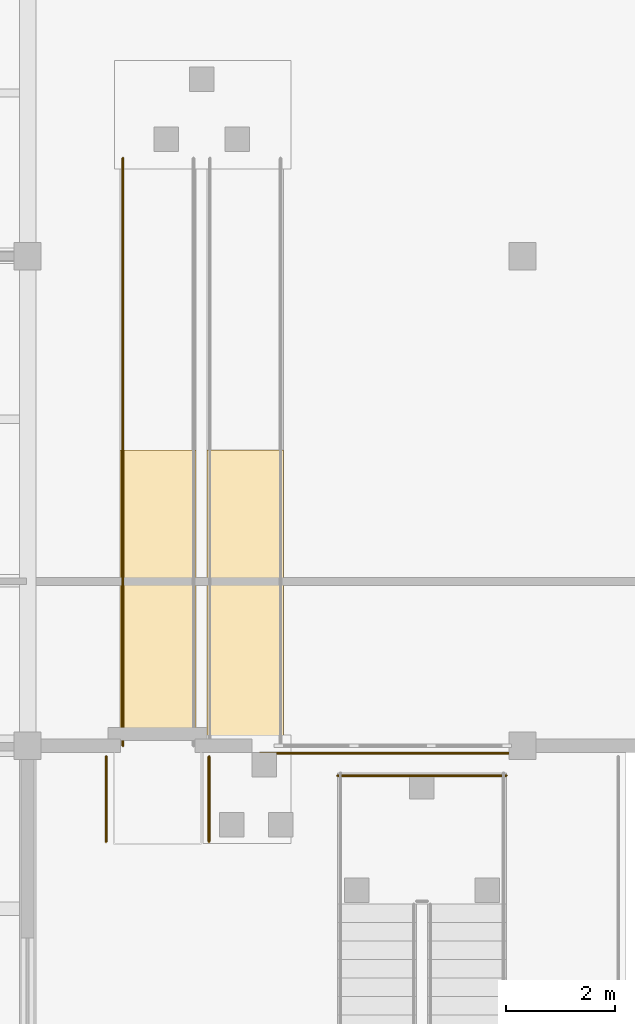
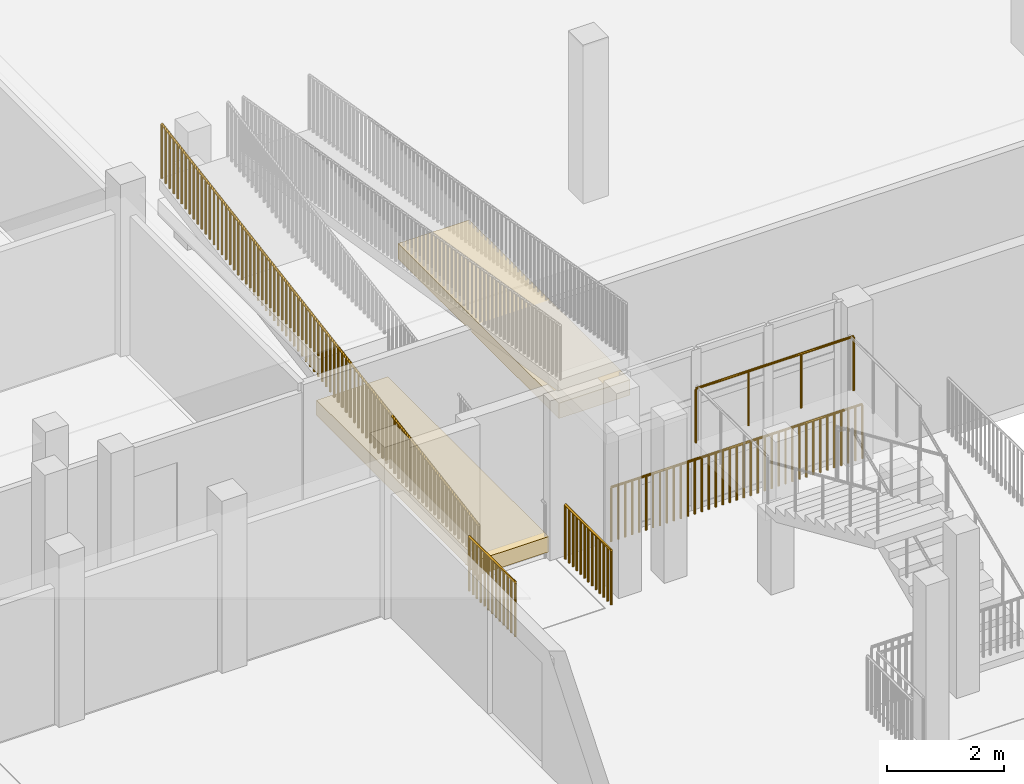
# One storey, part 88 of 104: 5 railings, 2 coverings.
"""IFC4 building model written with IfcOpenShell, lengths in metres."""

import ifcopenshell
import ifcopenshell.guid

model = None  # the IFC model being written
_history = None  # IfcOwnerHistory: only IFC2X3 demands one
_inside = {}  # id of a spatial element -> (the spatial element, [elements in it])
_under = {}  # id of a project, library or spatial element -> (it, [spatial elements below it])
_declared = {}  # id of a project -> (the project, [libraries it declares])
_typed = {}  # id of a type object -> (the type object, [elements of that type])
_made_of = {}  # id of a material, layer set ... -> (it, [elements and type objects made of it])


def new_model(schema):
    """Start an empty IFC model of exactly this schema.

    Asked for "IFC4X3", IfcOpenShell would pick the latest addendum, in which some entities
    have other attributes; the version numbers below select the first issue.
    IFC2X3 requires an IfcOwnerHistory on every rooted entity: one is made here for all.
    """
    global model, _history
    if schema == "IFC4X3":
        model = ifcopenshell.file(schema_version=(4, 3, 0, 0))
    else:
        model = ifcopenshell.file(schema=schema)
    _inside.clear()
    _under.clear()
    _declared.clear()
    _typed.clear()
    _made_of.clear()
    _history = None
    if model.schema == "IFC2X3":
        org = make("IfcOrganization", Name="unknown")
        user = make(
            "IfcPersonAndOrganization",
            ThePerson=make("IfcPerson", FamilyName="unknown"),
            TheOrganization=org,
        )
        app = make(
            "IfcApplication",
            ApplicationDeveloper=org,
            Version="unknown",
            ApplicationFullName="unknown",
            ApplicationIdentifier="unknown",
        )
        _history = make(
            "IfcOwnerHistory",
            OwningUser=user,
            OwningApplication=app,
            ChangeAction="ADDED",
            CreationDate=0,
        )
    return model


def make(cls, **values):
    """One entity of the class cls with the attributes given. An attribute that is None is left unset."""
    return model.create_entity(
        cls, **{name: value for name, value in values.items() if value is not None}
    )


def rooted(cls, **values):
    """An entity with a GlobalId (a new one), such as an element, a storey or a relation."""
    return make(cls, GlobalId=ifcopenshell.guid.new(), OwnerHistory=_history, **values)


def si_unit(unit_type, name, prefix=None):
    """IfcSIUnit, for example si_unit("LENGTHUNIT", "METRE", prefix="MILLI")."""
    return make("IfcSIUnit", UnitType=unit_type, Prefix=prefix, Name=name)


def assignment(units):
    """IfcUnitAssignment: the units of a project."""
    return None if units is None else make("IfcUnitAssignment", Units=units)


def point(xyz):
    """IfcCartesianPoint."""
    return None if xyz is None else make("IfcCartesianPoint", Coordinates=xyz)


def direction(xyz):
    """IfcDirection."""
    return None if xyz is None else make("IfcDirection", DirectionRatios=xyz)


def frame(location, z_axis=None, x_axis=None):
    """IfcAxis2Placement3D, a coordinate frame: its origin and axes. An axis left out is left unset."""
    return make(
        "IfcAxis2Placement3D",
        Location=point(location),
        Axis=direction(z_axis),
        RefDirection=direction(x_axis),
    )


def frame_2d(location, x_axis=None):
    """IfcAxis2Placement2D, a coordinate frame in the plane: its origin and x axis."""
    return make(
        "IfcAxis2Placement2D", Location=point(location), RefDirection=direction(x_axis)
    )


def origin():
    """The frame at (0, 0, 0) with its axes left unset."""
    return frame((0.0, 0.0, 0.0))


def origin_2d():
    """The frame at (0, 0) in the plane with its x axis left unset."""
    return frame_2d((0.0, 0.0))


def place(relative_to, where):
    """IfcLocalPlacement: puts the frame where relative to a parent placement (None: the world)."""
    return make(
        "IfcLocalPlacement", PlacementRelTo=relative_to, RelativePlacement=where
    )


def context(
    kind, dimensions, precision=None, world=None, true_north=None, identifier=None
):
    """IfcGeometricRepresentationContext, for example the 3D "Model" context."""
    return make(
        "IfcGeometricRepresentationContext",
        ContextIdentifier=identifier,
        ContextType=kind,
        CoordinateSpaceDimension=dimensions,
        Precision=precision,
        WorldCoordinateSystem=world,
        TrueNorth=true_north,
    )


def subcontext(parent, identifier, kind, view, scale=None):
    """IfcGeometricRepresentationSubContext, for example "Body" below "Model"."""
    return make(
        "IfcGeometricRepresentationSubContext",
        ContextIdentifier=identifier,
        ContextType=kind,
        ParentContext=parent,
        TargetScale=scale,
        TargetView=view,
    )


def project(units=None, contexts=None):
    """IfcProject with its units and contexts."""
    return rooted(
        "IfcProject",
        Name="project",
        RepresentationContexts=contexts,
        UnitsInContext=assignment(units),
    )


def spatial(cls, under=None, at=None, **own):
    """A site, building, storey or space (cls), placed at a placement, below another one or the project."""
    s = rooted(cls, ObjectPlacement=at, **own)
    if under is not None:
        _under.setdefault(under.id(), (under, []))[1].append(s)
    return s


def profile(cls, at=None, kind="AREA", **sizes):
    """A parametric profile (cls). Its sizes go by their IFC names, for example OverallWidth=200.0."""
    return make(cls, ProfileType=kind, Position=at, **sizes)


def rectangle(**sizes):
    """IfcRectangleProfileDef."""
    return profile("IfcRectangleProfileDef", **sizes)


def circle(**sizes):
    """IfcCircleProfileDef."""
    return profile("IfcCircleProfileDef", **sizes)


def extrude(swept, where, along, depth):
    """IfcExtrudedAreaSolid: the profile swept, set in the frame where, extruded along a direction by depth."""
    return make(
        "IfcExtrudedAreaSolid",
        SweptArea=swept,
        Position=where,
        ExtrudedDirection=direction(along),
        Depth=depth,
    )


def shape(context_of_items, identifier, shape_type, items):
    """IfcShapeRepresentation: the items that make up one representation, for example the "Body"."""
    return make(
        "IfcShapeRepresentation",
        ContextOfItems=context_of_items,
        RepresentationIdentifier=identifier,
        RepresentationType=shape_type,
        Items=items,
    )


def material(Name=None, Category=None):
    """IfcMaterial."""
    return make("IfcMaterial", Name=Name, Category=Category)


def layer(
    of_material, thickness, ventilated=None, Name=None, Category=None, Priority=None
):
    """IfcMaterialLayer: one layer of a wall or slab, of a material (None: an air gap)."""
    return make(
        "IfcMaterialLayer",
        Material=of_material,
        LayerThickness=thickness,
        IsVentilated=ventilated,
        Name=Name,
        Category=Category,
        Priority=Priority,
    )


def layer_set(layers, Name=None):
    """IfcMaterialLayerSet."""
    return make("IfcMaterialLayerSet", MaterialLayers=layers, LayerSetName=Name)


def made_of(thing, what):
    """Note that an element or type object is made of a material, layer set ...; save() writes the relation."""
    if what is not None:
        _made_of.setdefault(what.id(), (what, []))[1].append(thing)
    return thing


def type_object(cls, material=None, **own):
    """A type object (cls), such as IfcWallType, which elements share."""
    return made_of(rooted(cls, **own), material)


def element(
    cls,
    number,
    at=None,
    inside=None,
    cuts=None,
    type_object=None,
    material=None,
    context=None,
    identifier="Body",
    shape_type=None,
    held_by="IfcProductDefinitionShape",
    body=None,
    shapes=None,
    **own,
):
    """One element of the class cls, such as IfcWall. Its Tag is "e" and its number.

    at: its placement. inside: the storey or other place that contains it. cuts: it is an
    opening in that element (IfcRelVoidsElement). A single representation is given by context,
    identifier, shape_type and body (its items); several are given by shapes. held_by: the class
    of the entity that holds the representations. save() writes the other relations.
    """
    e = rooted(cls, Tag="e%d" % number, ObjectPlacement=at, **own)
    if body is not None:
        shapes = [shape(context, identifier, shape_type, body)]
    if shapes is not None:
        e.Representation = make(held_by, Representations=shapes)
    if inside is not None:
        _inside.setdefault(inside.id(), (inside, []))[1].append(e)
    if cuts is not None:
        rooted(
            "IfcRelVoidsElement", RelatingBuildingElement=cuts, RelatedOpeningElement=e
        )
    if type_object is not None:
        _typed.setdefault(type_object.id(), (type_object, []))[1].append(e)
    return made_of(e, material)


def aggregate(whole, parts):
    """IfcRelAggregates: a whole, such as a stair, and the parts it consists of."""
    return rooted("IfcRelAggregates", RelatingObject=whole, RelatedObjects=parts)


def save(model, path):
    """Write the relations noted so far, then the file.

    IfcRelAggregates (storeys below a building ...), IfcRelContainedInSpatialStructure (elements
    in a storey), IfcRelDefinesByType, IfcRelAssociatesMaterial and IfcRelDeclares: one each for
    every whole, place, type object, material and project.
    """
    for whole, parts in _under.values():
        aggregate(whole, parts)
    for where, things in _inside.values():
        rooted(
            "IfcRelContainedInSpatialStructure",
            RelatedElements=things,
            RelatingStructure=where,
        )
    for kind, things in _typed.values():
        rooted("IfcRelDefinesByType", RelatedObjects=things, RelatingType=kind)
    for what, things in _made_of.values():
        rooted("IfcRelAssociatesMaterial", RelatedObjects=things, RelatingMaterial=what)
    for by, libraries in _declared.values():
        rooted("IfcRelDeclares", RelatingContext=by, RelatedDefinitions=libraries)
    model.write(path)


model = new_model("IFC4")

# Units and contexts
model_context = context("Model", 3, precision=1e-05, world=origin(), true_north=direction((0.0, 1.0)))
body_context = subcontext(model_context, "Body", "Model", "MODEL_VIEW")
ifc_project = project(units=[si_unit("LENGTHUNIT", "METRE"), si_unit("AREAUNIT", "SQUARE_METRE"), si_unit("VOLUMEUNIT", "CUBIC_METRE"), si_unit("PLANEANGLEUNIT", "RADIAN"), si_unit("MASSUNIT", "GRAM", prefix="KILO")], contexts=[model_context])

# Site, building, storey
site_placement = place(None, origin())
site = spatial("IfcSite", under=ifc_project, at=site_placement, CompositionType="ELEMENT")
building_placement = place(site_placement, origin())
building = spatial("IfcBuilding", under=site, at=building_placement, Name="Vanh Quang Courtyard School", CompositionType="ELEMENT")
storey_placement = place(building_placement, frame((0.0, 0.0, 4.199951171875)))
storey = spatial("IfcBuildingStorey", under=building, at=storey_placement, Name="L01", CompositionType="ELEMENT", Elevation=4.199951171875)

# Coverings
ifc_material_1 = material(Name="Board-marked precast concrete C40/50", Category="concrete")
ifc_layer = layer(ifc_material_1, 0.239990234375)
ifc_layer_set = layer_set([ifc_layer], Name="Board-marked precast concrete C40/50")
covering_type = type_object("IfcCoveringType", Name="COV-HOOD-CONC", PredefinedType="CLADDING", material=ifc_layer_set)
for number, where, z_axis, x_axis, name in (
    (1, (121.800048828125, 44.10009765625, 0.1298828125), (0.0, 0.0, 1.0), (1.0, 0.0, 0.0), "Covering CH-01 (L01)"),
    (2, (123.39990234375, 44.10009765625, 2.830078125), (0.0, 0.0, 1.0), (1.0, 0.0, 0.0), "Covering CH-01 (L01)"),
):
    element("IfcCovering", number, at=place(storey_placement, frame(where, z_axis=z_axis, x_axis=x_axis)), inside=storey, type_object=covering_type, Name=name, PredefinedType="CLADDING", context=body_context, shape_type="SweptSolid", body=[
        extrude(rectangle(XDim=1.39990234375, YDim=5.47998046875, at=origin_2d()), origin(), (0.0, 0.0, 1.0), 0.320068359375),
    ])

# Railings
ifc_material_2 = material(Name="Galvanised painted steel EN 10025-2 S355J2", Category="steel")
railing_type = type_object("IfcRailingType", Name="RAIL-GUARD-1150", PredefinedType="BALUSTRADE", material=ifc_material_2)
railing_1_placement = place(storey_placement, frame((120.844970703125, 41.199951171875, 0.0)))
element("IfcRailing", 3, at=railing_1_placement, inside=storey, type_object=railing_type, Name="Railing GR-01 (L01)", PredefinedType="BALUSTRADE", context=body_context, shape_type="SweptSolid", body=[
    extrude(circle(Radius=0.02392578125, at=origin_2d()), frame((0.0, 0.0, 1.1259765625), z_axis=(0.0, -1.0, 0.0), x_axis=(1.0, 0.0, 0.0)), (0.0, 0.0, 1.0), 1.56494140625),
    extrude(circle(Radius=0.02099609375, at=origin_2d()), origin(), (0.0, 0.0, 1.0), 1.101806640625),
    extrude(circle(Radius=0.02099609375, at=origin_2d()), frame((0.0, -0.13037109375, 0.0)), (0.0, 0.0, 1.0), 1.101806640625),
    extrude(circle(Radius=0.02099609375, at=origin_2d()), frame((0.0, -0.2607421875, 0.0)), (0.0, 0.0, 1.0), 1.101806640625),
    extrude(circle(Radius=0.02099609375, at=origin_2d()), frame((0.0, -0.39111328125, 0.0)), (0.0, 0.0, 1.0), 1.101806640625),
    extrude(circle(Radius=0.02099609375, at=origin_2d()), frame((0.0, -0.521728515625, 0.0)), (0.0, 0.0, 1.0), 1.101806640625),
    extrude(circle(Radius=0.02099609375, at=origin_2d()), frame((0.0, -0.652099609375, 0.0)), (0.0, 0.0, 1.0), 1.101806640625),
    extrude(circle(Radius=0.02099609375, at=origin_2d()), frame((0.0, -0.782470703125, 0.0)), (0.0, 0.0, 1.0), 1.101806640625),
    extrude(circle(Radius=0.02099609375, at=origin_2d()), frame((0.0, -0.912841796875, 0.0)), (0.0, 0.0, 1.0), 1.101806640625),
    extrude(circle(Radius=0.02099609375, at=origin_2d()), frame((0.0, -1.043212890625, 0.0)), (0.0, 0.0, 1.0), 1.101806640625),
    extrude(circle(Radius=0.02099609375, at=origin_2d()), frame((0.0, -1.173828125, 0.0)), (0.0, 0.0, 1.0), 1.101806640625),
    extrude(circle(Radius=0.02099609375, at=origin_2d()), frame((0.0, -1.30419921875, 0.0)), (0.0, 0.0, 1.0), 1.101806640625),
    extrude(circle(Radius=0.02099609375, at=origin_2d()), frame((0.0, -1.4345703125, 0.0)), (0.0, 0.0, 1.0), 1.101806640625),
    extrude(circle(Radius=0.02099609375, at=origin_2d()), frame((0.0, -1.56494140625, 0.0)), (0.0, 0.0, 1.0), 1.101806640625),
])
railing_2_placement = place(storey_placement, frame((122.735107421875, 39.635009765625, 0.0)))
element("IfcRailing", 4, at=railing_2_placement, inside=storey, type_object=railing_type, Name="Railing GR-01 (L01)", PredefinedType="BALUSTRADE", context=body_context, shape_type="SweptSolid", body=[
    extrude(circle(Radius=0.02392578125, at=origin_2d()), frame((0.0, 0.0, 1.1259765625), z_axis=(0.0, 1.0, 0.0), x_axis=(-1.0, 0.0, 0.0)), (0.0, 0.0, 1.0), 1.56494140625),
    extrude(circle(Radius=0.02099609375, at=origin_2d()), origin(), (0.0, 0.0, 1.0), 1.101806640625),
    extrude(circle(Radius=0.02099609375, at=origin_2d()), frame((0.0, 0.13037109375, 0.0)), (0.0, 0.0, 1.0), 1.101806640625),
    extrude(circle(Radius=0.02099609375, at=origin_2d()), frame((0.0, 0.2607421875, 0.0)), (0.0, 0.0, 1.0), 1.101806640625),
    extrude(circle(Radius=0.02099609375, at=origin_2d()), frame((0.0, 0.39111328125, 0.0)), (0.0, 0.0, 1.0), 1.101806640625),
    extrude(circle(Radius=0.02099609375, at=origin_2d()), frame((0.0, 0.521728515625, 0.0)), (0.0, 0.0, 1.0), 1.101806640625),
    extrude(circle(Radius=0.02099609375, at=origin_2d()), frame((0.0, 0.652099609375, 0.0)), (0.0, 0.0, 1.0), 1.101806640625),
    extrude(circle(Radius=0.02099609375, at=origin_2d()), frame((0.0, 0.782470703125, 0.0)), (0.0, 0.0, 1.0), 1.101806640625),
    extrude(circle(Radius=0.02099609375, at=origin_2d()), frame((0.0, 0.912841796875, 0.0)), (0.0, 0.0, 1.0), 1.101806640625),
    extrude(circle(Radius=0.02099609375, at=origin_2d()), frame((0.0, 1.043212890625, 0.0)), (0.0, 0.0, 1.0), 1.101806640625),
    extrude(circle(Radius=0.02099609375, at=origin_2d()), frame((0.0, 1.173828125, 0.0)), (0.0, 0.0, 1.0), 1.101806640625),
    extrude(circle(Radius=0.02099609375, at=origin_2d()), frame((0.0, 1.30419921875, 0.0)), (0.0, 0.0, 1.0), 1.101806640625),
    extrude(circle(Radius=0.02099609375, at=origin_2d()), frame((0.0, 1.4345703125, 0.0)), (0.0, 0.0, 1.0), 1.101806640625),
    extrude(circle(Radius=0.02099609375, at=origin_2d()), frame((0.0, 1.56494140625, 0.0)), (0.0, 0.0, 1.0), 1.101806640625),
])
railing_3_placement = place(storey_placement, frame((123.669677734375, 41.260009765625, 0.0)))
element("IfcRailing", 5, at=railing_3_placement, inside=storey, type_object=railing_type, Name="Railing GR-01 (L01)", PredefinedType="BALUSTRADE", context=body_context, shape_type="SweptSolid", body=[
    extrude(circle(Radius=0.02392578125, at=origin_2d()), frame((0.0, 0.0, 1.1259765625), z_axis=(1.0, 0.0, 0.0), x_axis=(0.0, 1.0, 0.0)), (0.0, 0.0, 1.0), 4.935546875),
    extrude(circle(Radius=0.02099609375, at=origin_2d()), origin(), (0.0, 0.0, 1.0), 1.101806640625),
    extrude(circle(Radius=0.02099609375, at=origin_2d()), frame((0.13720703125, 0.0, 0.0)), (0.0, 0.0, 1.0), 1.101806640625),
    extrude(circle(Radius=0.02099609375, at=origin_2d()), frame((0.274169921875, 0.0, 0.0)), (0.0, 0.0, 1.0), 1.101806640625),
    extrude(circle(Radius=0.02099609375, at=origin_2d()), frame((0.411376953125, 0.0, 0.0)), (0.0, 0.0, 1.0), 1.101806640625),
    extrude(circle(Radius=0.02099609375, at=origin_2d()), frame((0.54833984375, 0.0, 0.0)), (0.0, 0.0, 1.0), 1.101806640625),
    extrude(circle(Radius=0.02099609375, at=origin_2d()), frame((0.685546875, 0.0, 0.0)), (0.0, 0.0, 1.0), 1.101806640625),
    extrude(circle(Radius=0.02099609375, at=origin_2d()), frame((0.822509765625, 0.0, 0.0)), (0.0, 0.0, 1.0), 1.101806640625),
    extrude(circle(Radius=0.02099609375, at=origin_2d()), frame((0.959716796875, 0.0, 0.0)), (0.0, 0.0, 1.0), 1.101806640625),
    extrude(circle(Radius=0.02099609375, at=origin_2d()), frame((1.0966796875, 0.0, 0.0)), (0.0, 0.0, 1.0), 1.101806640625),
    extrude(circle(Radius=0.02099609375, at=origin_2d()), frame((1.23388671875, 0.0, 0.0)), (0.0, 0.0, 1.0), 1.101806640625),
    extrude(circle(Radius=0.02099609375, at=origin_2d()), frame((1.37109375, 0.0, 0.0)), (0.0, 0.0, 1.0), 1.101806640625),
    extrude(circle(Radius=0.02099609375, at=origin_2d()), frame((1.508056640625, 0.0, 0.0)), (0.0, 0.0, 1.0), 1.101806640625),
    extrude(circle(Radius=0.02099609375, at=origin_2d()), frame((1.645263671875, 0.0, 0.0)), (0.0, 0.0, 1.0), 1.101806640625),
    extrude(circle(Radius=0.02099609375, at=origin_2d()), frame((1.7822265625, 0.0, 0.0)), (0.0, 0.0, 1.0), 1.101806640625),
    extrude(circle(Radius=0.02099609375, at=origin_2d()), frame((1.91943359375, 0.0, 0.0)), (0.0, 0.0, 1.0), 1.101806640625),
    extrude(circle(Radius=0.02099609375, at=origin_2d()), frame((2.056396484375, 0.0, 0.0)), (0.0, 0.0, 1.0), 1.101806640625),
    extrude(circle(Radius=0.02099609375, at=origin_2d()), frame((2.193603515625, 0.0, 0.0)), (0.0, 0.0, 1.0), 1.101806640625),
    extrude(circle(Radius=0.02099609375, at=origin_2d()), frame((2.33056640625, 0.0, 0.0)), (0.0, 0.0, 1.0), 1.101806640625),
    extrude(circle(Radius=0.02099609375, at=origin_2d()), frame((2.4677734375, 0.0, 0.0)), (0.0, 0.0, 1.0), 1.101806640625),
    extrude(circle(Radius=0.02099609375, at=origin_2d()), frame((2.60498046875, 0.0, 0.0)), (0.0, 0.0, 1.0), 1.101806640625),
    extrude(circle(Radius=0.02099609375, at=origin_2d()), frame((2.741943359375, 0.0, 0.0)), (0.0, 0.0, 1.0), 1.101806640625),
    extrude(circle(Radius=0.02099609375, at=origin_2d()), frame((2.879150390625, 0.0, 0.0)), (0.0, 0.0, 1.0), 1.101806640625),
    extrude(circle(Radius=0.02099609375, at=origin_2d()), frame((3.01611328125, 0.0, 0.0)), (0.0, 0.0, 1.0), 1.101806640625),
    extrude(circle(Radius=0.02099609375, at=origin_2d()), frame((3.1533203125, 0.0, 0.0)), (0.0, 0.0, 1.0), 1.101806640625),
    extrude(circle(Radius=0.02099609375, at=origin_2d()), frame((3.290283203125, 0.0, 0.0)), (0.0, 0.0, 1.0), 1.101806640625),
    extrude(circle(Radius=0.02099609375, at=origin_2d()), frame((3.427490234375, 0.0, 0.0)), (0.0, 0.0, 1.0), 1.101806640625),
    extrude(circle(Radius=0.02099609375, at=origin_2d()), frame((3.564453125, 0.0, 0.0)), (0.0, 0.0, 1.0), 1.101806640625),
    extrude(circle(Radius=0.02099609375, at=origin_2d()), frame((3.70166015625, 0.0, 0.0)), (0.0, 0.0, 1.0), 1.101806640625),
    extrude(circle(Radius=0.02099609375, at=origin_2d()), frame((3.8388671875, 0.0, 0.0)), (0.0, 0.0, 1.0), 1.101806640625),
    extrude(circle(Radius=0.02099609375, at=origin_2d()), frame((3.975830078125, 0.0, 0.0)), (0.0, 0.0, 1.0), 1.101806640625),
    extrude(circle(Radius=0.02099609375, at=origin_2d()), frame((4.113037109375, 0.0, 0.0)), (0.0, 0.0, 1.0), 1.101806640625),
    extrude(circle(Radius=0.02099609375, at=origin_2d()), frame((4.25, 0.0, 0.0)), (0.0, 0.0, 1.0), 1.101806640625),
    extrude(circle(Radius=0.02099609375, at=origin_2d()), frame((4.38720703125, 0.0, 0.0)), (0.0, 0.0, 1.0), 1.101806640625),
    extrude(circle(Radius=0.02099609375, at=origin_2d()), frame((4.524169921875, 0.0, 0.0)), (0.0, 0.0, 1.0), 1.101806640625),
    extrude(circle(Radius=0.02099609375, at=origin_2d()), frame((4.661376953125, 0.0, 0.0)), (0.0, 0.0, 1.0), 1.101806640625),
    extrude(circle(Radius=0.02099609375, at=origin_2d()), frame((4.79833984375, 0.0, 0.0)), (0.0, 0.0, 1.0), 1.101806640625),
    extrude(circle(Radius=0.02099609375, at=origin_2d()), frame((4.935546875, 0.0, 0.0)), (0.0, 0.0, 1.0), 1.101806640625),
])
railing_4_placement = place(storey_placement, frame((121.14990234375, 41.39990234375, 0.0)))
element("IfcRailing", 6, at=railing_4_placement, inside=storey, type_object=railing_type, Name="Railing GR-01 (L01)", PredefinedType="BALUSTRADE", context=body_context, shape_type="SweptSolid", body=[
    extrude(circle(Radius=0.02392578125, at=origin_2d()), frame((0.0, 0.0, 1.1259765625), z_axis=(0.0, 0.986393321179, 0.164402603184), x_axis=(-1.0, 0.0, 0.0)), (0.0, 0.0, 1.0), 10.948974609375),
    extrude(circle(Radius=0.02099609375, at=origin_2d()), origin(), (0.0, 0.0, 1.0), 1.101806640625),
    extrude(circle(Radius=0.02099609375, at=origin_2d()), frame((0.0, 0.13671875, 0.022705078125)), (0.0, 0.0, 1.0), 1.101806640625),
    extrude(circle(Radius=0.02099609375, at=origin_2d()), frame((0.0, 0.2734375, 0.045654296875)), (0.0, 0.0, 1.0), 1.101806640625),
    extrude(circle(Radius=0.02099609375, at=origin_2d()), frame((0.0, 0.41015625, 0.068359375)), (0.0, 0.0, 1.0), 1.101806640625),
    extrude(circle(Radius=0.02099609375, at=origin_2d()), frame((0.0, 0.546875, 0.091064453125)), (0.0, 0.0, 1.0), 1.101806640625),
    extrude(circle(Radius=0.02099609375, at=origin_2d()), frame((0.0, 0.68359375, 0.114013671875)), (0.0, 0.0, 1.0), 1.101806640625),
    extrude(circle(Radius=0.02099609375, at=origin_2d()), frame((0.0, 0.8203125, 0.13671875)), (0.0, 0.0, 1.0), 1.101806640625),
    extrude(circle(Radius=0.02099609375, at=origin_2d()), frame((0.0, 0.95703125, 0.159423828125)), (0.0, 0.0, 1.0), 1.101806640625),
    extrude(circle(Radius=0.02099609375, at=origin_2d()), frame((0.0, 1.09375, 0.182373046875)), (0.0, 0.0, 1.0), 1.101806640625),
    extrude(circle(Radius=0.02099609375, at=origin_2d()), frame((0.0, 1.23046875, 0.205078125)), (0.0, 0.0, 1.0), 1.101806640625),
    extrude(circle(Radius=0.02099609375, at=origin_2d()), frame((0.0, 1.3671875, 0.227783203125)), (0.0, 0.0, 1.0), 1.101806640625),
    extrude(circle(Radius=0.02099609375, at=origin_2d()), frame((0.0, 1.50390625, 0.250732421875)), (0.0, 0.0, 1.0), 1.101806640625),
    extrude(circle(Radius=0.02099609375, at=origin_2d()), frame((0.0, 1.640625, 0.2734375)), (0.0, 0.0, 1.0), 1.101806640625),
    extrude(circle(Radius=0.02099609375, at=origin_2d()), frame((0.0, 1.77734375, 0.296142578125)), (0.0, 0.0, 1.0), 1.101806640625),
    extrude(circle(Radius=0.02099609375, at=origin_2d()), frame((0.0, 1.913818359375, 0.319091796875)), (0.0, 0.0, 1.0), 1.101806640625),
    extrude(circle(Radius=0.02099609375, at=origin_2d()), frame((0.0, 2.050537109375, 0.341796875)), (0.0, 0.0, 1.0), 1.101806640625),
    extrude(circle(Radius=0.02099609375, at=origin_2d()), frame((0.0, 2.187255859375, 0.364501953125)), (0.0, 0.0, 1.0), 1.101806640625),
    extrude(circle(Radius=0.02099609375, at=origin_2d()), frame((0.0, 2.323974609375, 0.387451171875)), (0.0, 0.0, 1.0), 1.101806640625),
    extrude(circle(Radius=0.02099609375, at=origin_2d()), frame((0.0, 2.460693359375, 0.41015625)), (0.0, 0.0, 1.0), 1.101806640625),
    extrude(circle(Radius=0.02099609375, at=origin_2d()), frame((0.0, 2.597412109375, 0.432861328125)), (0.0, 0.0, 1.0), 1.101806640625),
    extrude(circle(Radius=0.02099609375, at=origin_2d()), frame((0.0, 2.734130859375, 0.455810546875)), (0.0, 0.0, 1.0), 1.101806640625),
    extrude(circle(Radius=0.02099609375, at=origin_2d()), frame((0.0, 2.870849609375, 0.478515625)), (0.0, 0.0, 1.0), 1.101806640625),
    extrude(circle(Radius=0.02099609375, at=origin_2d()), frame((0.0, 3.007568359375, 0.501220703125)), (0.0, 0.0, 1.0), 1.101806640625),
    extrude(circle(Radius=0.02099609375, at=origin_2d()), frame((0.0, 3.144287109375, 0.524169921875)), (0.0, 0.0, 1.0), 1.101806640625),
    extrude(circle(Radius=0.02099609375, at=origin_2d()), frame((0.0, 3.281005859375, 0.546875)), (0.0, 0.0, 1.0), 1.101806640625),
    extrude(circle(Radius=0.02099609375, at=origin_2d()), frame((0.0, 3.417724609375, 0.569580078125)), (0.0, 0.0, 1.0), 1.101806640625),
    extrude(circle(Radius=0.02099609375, at=origin_2d()), frame((0.0, 3.554443359375, 0.592529296875)), (0.0, 0.0, 1.0), 1.101806640625),
    extrude(circle(Radius=0.02099609375, at=origin_2d()), frame((0.0, 3.691162109375, 0.615234375)), (0.0, 0.0, 1.0), 1.101806640625),
    extrude(circle(Radius=0.02099609375, at=origin_2d()), frame((0.0, 3.827880859375, 0.637939453125)), (0.0, 0.0, 1.0), 1.101806640625),
    extrude(circle(Radius=0.02099609375, at=origin_2d()), frame((0.0, 3.964599609375, 0.660888671875)), (0.0, 0.0, 1.0), 1.101806640625),
    extrude(circle(Radius=0.02099609375, at=origin_2d()), frame((0.0, 4.101318359375, 0.68359375)), (0.0, 0.0, 1.0), 1.101806640625),
    extrude(circle(Radius=0.02099609375, at=origin_2d()), frame((0.0, 4.238037109375, 0.706298828125)), (0.0, 0.0, 1.0), 1.101806640625),
    extrude(circle(Radius=0.02099609375, at=origin_2d()), frame((0.0, 4.374755859375, 0.729248046875)), (0.0, 0.0, 1.0), 1.101806640625),
    extrude(circle(Radius=0.02099609375, at=origin_2d()), frame((0.0, 4.511474609375, 0.751953125)), (0.0, 0.0, 1.0), 1.101806640625),
    extrude(circle(Radius=0.02099609375, at=origin_2d()), frame((0.0, 4.648193359375, 0.774658203125)), (0.0, 0.0, 1.0), 1.101806640625),
    extrude(circle(Radius=0.02099609375, at=origin_2d()), frame((0.0, 4.784912109375, 0.797607421875)), (0.0, 0.0, 1.0), 1.101806640625),
    extrude(circle(Radius=0.02099609375, at=origin_2d()), frame((0.0, 4.921630859375, 0.8203125)), (0.0, 0.0, 1.0), 1.101806640625),
    extrude(circle(Radius=0.02099609375, at=origin_2d()), frame((0.0, 5.058349609375, 0.843017578125)), (0.0, 0.0, 1.0), 1.101806640625),
    extrude(circle(Radius=0.02099609375, at=origin_2d()), frame((0.0, 5.195068359375, 0.865966796875)), (0.0, 0.0, 1.0), 1.101806640625),
    extrude(circle(Radius=0.02099609375, at=origin_2d()), frame((0.0, 5.331787109375, 0.888671875)), (0.0, 0.0, 1.0), 1.101806640625),
    extrude(circle(Radius=0.02099609375, at=origin_2d()), frame((0.0, 5.46826171875, 0.911376953125)), (0.0, 0.0, 1.0), 1.101806640625),
    extrude(circle(Radius=0.02099609375, at=origin_2d()), frame((0.0, 5.60498046875, 0.93408203125)), (0.0, 0.0, 1.0), 1.101806640625),
    extrude(circle(Radius=0.02099609375, at=origin_2d()), frame((0.0, 5.74169921875, 0.95703125)), (0.0, 0.0, 1.0), 1.101806640625),
    extrude(circle(Radius=0.02099609375, at=origin_2d()), frame((0.0, 5.87841796875, 0.979736328125)), (0.0, 0.0, 1.0), 1.101806640625),
    extrude(circle(Radius=0.02099609375, at=origin_2d()), frame((0.0, 6.01513671875, 1.00244140625)), (0.0, 0.0, 1.0), 1.101806640625),
    extrude(circle(Radius=0.02099609375, at=origin_2d()), frame((0.0, 6.15185546875, 1.025390625)), (0.0, 0.0, 1.0), 1.101806640625),
    extrude(circle(Radius=0.02099609375, at=origin_2d()), frame((0.0, 6.28857421875, 1.048095703125)), (0.0, 0.0, 1.0), 1.101806640625),
    extrude(circle(Radius=0.02099609375, at=origin_2d()), frame((0.0, 6.42529296875, 1.07080078125)), (0.0, 0.0, 1.0), 1.101806640625),
    extrude(circle(Radius=0.02099609375, at=origin_2d()), frame((0.0, 6.56201171875, 1.09375)), (0.0, 0.0, 1.0), 1.101806640625),
    extrude(circle(Radius=0.02099609375, at=origin_2d()), frame((0.0, 6.69873046875, 1.116455078125)), (0.0, 0.0, 1.0), 1.101806640625),
    extrude(circle(Radius=0.02099609375, at=origin_2d()), frame((0.0, 6.83544921875, 1.13916015625)), (0.0, 0.0, 1.0), 1.101806640625),
    extrude(circle(Radius=0.02099609375, at=origin_2d()), frame((0.0, 6.97216796875, 1.162109375)), (0.0, 0.0, 1.0), 1.101806640625),
    extrude(circle(Radius=0.02099609375, at=origin_2d()), frame((0.0, 7.10888671875, 1.184814453125)), (0.0, 0.0, 1.0), 1.101806640625),
    extrude(circle(Radius=0.02099609375, at=origin_2d()), frame((0.0, 7.24560546875, 1.20751953125)), (0.0, 0.0, 1.0), 1.101806640625),
    extrude(circle(Radius=0.02099609375, at=origin_2d()), frame((0.0, 7.38232421875, 1.23046875)), (0.0, 0.0, 1.0), 1.101806640625),
    extrude(circle(Radius=0.02099609375, at=origin_2d()), frame((0.0, 7.51904296875, 1.253173828125)), (0.0, 0.0, 1.0), 1.101806640625),
    extrude(circle(Radius=0.02099609375, at=origin_2d()), frame((0.0, 7.65576171875, 1.27587890625)), (0.0, 0.0, 1.0), 1.101806640625),
    extrude(circle(Radius=0.02099609375, at=origin_2d()), frame((0.0, 7.79248046875, 1.298828125)), (0.0, 0.0, 1.0), 1.101806640625),
    extrude(circle(Radius=0.02099609375, at=origin_2d()), frame((0.0, 7.92919921875, 1.321533203125)), (0.0, 0.0, 1.0), 1.101806640625),
    extrude(circle(Radius=0.02099609375, at=origin_2d()), frame((0.0, 8.06591796875, 1.34423828125)), (0.0, 0.0, 1.0), 1.101806640625),
    extrude(circle(Radius=0.02099609375, at=origin_2d()), frame((0.0, 8.20263671875, 1.3671875)), (0.0, 0.0, 1.0), 1.101806640625),
    extrude(circle(Radius=0.02099609375, at=origin_2d()), frame((0.0, 8.33935546875, 1.389892578125)), (0.0, 0.0, 1.0), 1.101806640625),
    extrude(circle(Radius=0.02099609375, at=origin_2d()), frame((0.0, 8.47607421875, 1.41259765625)), (0.0, 0.0, 1.0), 1.101806640625),
    extrude(circle(Radius=0.02099609375, at=origin_2d()), frame((0.0, 8.61279296875, 1.435546875)), (0.0, 0.0, 1.0), 1.101806640625),
    extrude(circle(Radius=0.02099609375, at=origin_2d()), frame((0.0, 8.74951171875, 1.458251953125)), (0.0, 0.0, 1.0), 1.101806640625),
    extrude(circle(Radius=0.02099609375, at=origin_2d()), frame((0.0, 8.88623046875, 1.48095703125)), (0.0, 0.0, 1.0), 1.101806640625),
    extrude(circle(Radius=0.02099609375, at=origin_2d()), frame((0.0, 9.022705078125, 1.50390625)), (0.0, 0.0, 1.0), 1.101806640625),
    extrude(circle(Radius=0.02099609375, at=origin_2d()), frame((0.0, 9.159423828125, 1.526611328125)), (0.0, 0.0, 1.0), 1.101806640625),
    extrude(circle(Radius=0.02099609375, at=origin_2d()), frame((0.0, 9.296142578125, 1.54931640625)), (0.0, 0.0, 1.0), 1.101806640625),
    extrude(circle(Radius=0.02099609375, at=origin_2d()), frame((0.0, 9.432861328125, 1.572265625)), (0.0, 0.0, 1.0), 1.101806640625),
    extrude(circle(Radius=0.02099609375, at=origin_2d()), frame((0.0, 9.569580078125, 1.594970703125)), (0.0, 0.0, 1.0), 1.101806640625),
    extrude(circle(Radius=0.02099609375, at=origin_2d()), frame((0.0, 9.706298828125, 1.61767578125)), (0.0, 0.0, 1.0), 1.101806640625),
    extrude(circle(Radius=0.02099609375, at=origin_2d()), frame((0.0, 9.843017578125, 1.640625)), (0.0, 0.0, 1.0), 1.101806640625),
    extrude(circle(Radius=0.02099609375, at=origin_2d()), frame((0.0, 9.979736328125, 1.663330078125)), (0.0, 0.0, 1.0), 1.101806640625),
    extrude(circle(Radius=0.02099609375, at=origin_2d()), frame((0.0, 10.116455078125, 1.68603515625)), (0.0, 0.0, 1.0), 1.101806640625),
    extrude(circle(Radius=0.02099609375, at=origin_2d()), frame((0.0, 10.253173828125, 1.708984375)), (0.0, 0.0, 1.0), 1.101806640625),
    extrude(circle(Radius=0.02099609375, at=origin_2d()), frame((0.0, 10.389892578125, 1.731689453125)), (0.0, 0.0, 1.0), 1.101806640625),
    extrude(circle(Radius=0.02099609375, at=origin_2d()), frame((0.0, 10.526611328125, 1.75439453125)), (0.0, 0.0, 1.0), 1.101806640625),
    extrude(circle(Radius=0.02099609375, at=origin_2d()), frame((0.0, 10.663330078125, 1.77734375)), (0.0, 0.0, 1.0), 1.101806640625),
    extrude(circle(Radius=0.02099609375, at=origin_2d()), frame((0.0, 10.800048828125, 1.800048828125)), (0.0, 0.0, 1.0), 1.101806640625),
])
railing_5_placement = place(storey_placement, frame((128.199951171875, 40.85009765625, 1.800048828125)))
element("IfcRailing", 7, at=railing_5_placement, inside=storey, type_object=railing_type, Name="L01 ST-T2 stair guard 5", PredefinedType="BALUSTRADE", context=body_context, shape_type="SweptSolid", body=[
    extrude(circle(Radius=0.02392578125, at=origin_2d()), frame((0.0, 0.0, 1.1259765625), z_axis=(-1.0, 0.0, 0.0), x_axis=(0.0, -1.0, 0.0)), (0.0, 0.0, 1.0), 3.099853515625),
    extrude(circle(Radius=0.02099609375, at=origin_2d()), origin(), (0.0, 0.0, 1.0), 1.101806640625),
    extrude(circle(Radius=0.02099609375, at=origin_2d()), frame((-1.033203125, 0.0, 0.0)), (0.0, 0.0, 1.0), 1.101806640625),
    extrude(circle(Radius=0.02099609375, at=origin_2d()), frame((-2.066650390625, 0.0, 0.0)), (0.0, 0.0, 1.0), 1.101806640625),
    extrude(circle(Radius=0.02099609375, at=origin_2d()), frame((-3.099853515625, 0.0, 0.0)), (0.0, 0.0, 1.0), 1.101806640625),
])

save(model, "model.ifc")
